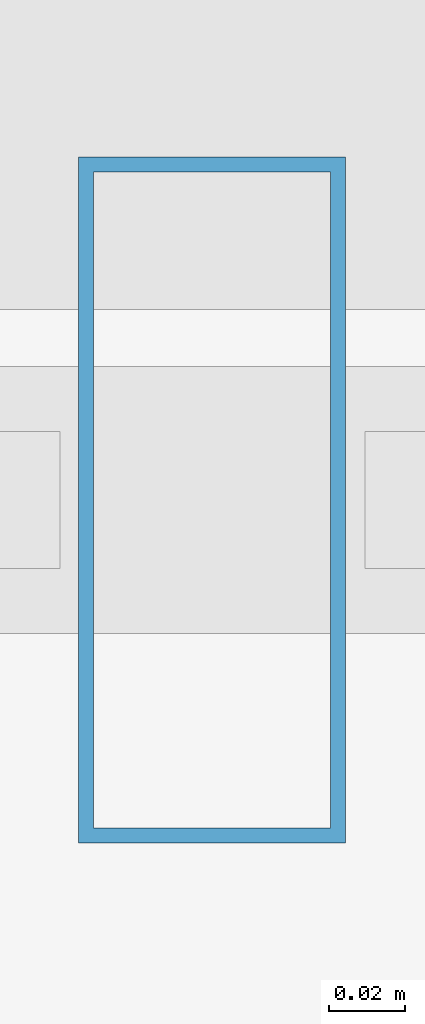
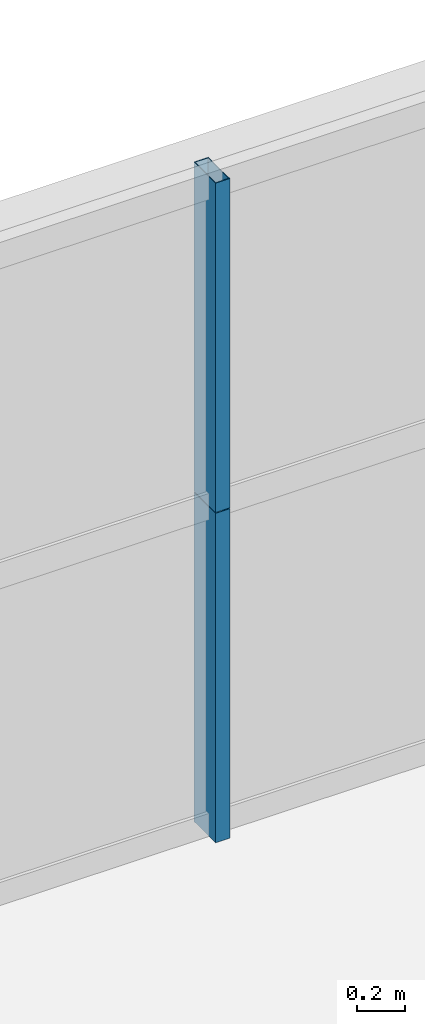
# One storey, part 27 of 43: 2 members, 1 element without a shape of its own.
"""IFC4 building model written with IfcOpenShell, lengths in metres."""

from ifc_helpers import new_model, si_unit, direction, frame, origin, origin_2d, place, context, subcontext, project, spatial, hollow_rectangle, extrude, source, transform, mapped, material, layer, layer_set, material_profile, profile_set, type_object, element, aggregate, save


model = new_model("IFC4")

# Units and contexts
model_context = context("Model", 3, precision=1e-05, world=origin(), true_north=direction((0.0, 1.0)))
body_context = subcontext(model_context, "Body", "Model", "MODEL_VIEW")
ifc_project = project(units=[si_unit("LENGTHUNIT", "METRE"), si_unit("AREAUNIT", "SQUARE_METRE"), si_unit("VOLUMEUNIT", "CUBIC_METRE"), si_unit("PLANEANGLEUNIT", "RADIAN"), si_unit("MASSUNIT", "GRAM", prefix="KILO"), si_unit("THERMODYNAMICTEMPERATUREUNIT", "KELVIN"), si_unit("POWERUNIT", "WATT")], contexts=[model_context])

# Site, building, storey
site_placement = place(None, origin())
site = spatial("IfcSite", under=ifc_project, at=site_placement, CompositionType="ELEMENT")
building_placement = place(site_placement, origin())
building = spatial("IfcBuilding", under=site, at=building_placement, Name="Yuzanri Waterfront Tower", CompositionType="ELEMENT")
storey_placement = place(building_placement, frame((0.0, 0.0, 71.199951171875)))
storey = spatial("IfcBuildingStorey", under=building, at=storey_placement, Name="L18", CompositionType="ELEMENT", Elevation=71.199951171875)

# Curtain wall, members
ifc_material_1 = material(Name="Anodized Architectural Bronze", Category="metal")
ifc_layer = layer(ifc_material_1, 0.159912109375)
ifc_layer_set = layer_set([ifc_layer], Name="Anodized Architectural Bronze")
curtain_wall_type = type_object("IfcCurtainWallType", Name="Anodized Bronze Hotel Lower-Tier Recessed Unitized Curtain Wall 8100", PredefinedType="NOTDEFINED", material=ifc_layer_set)
curtain_wall_placement = place(storey_placement, origin())
curtain_wall = element("IfcCurtainWall", 1, at=curtain_wall_placement, inside=storey, type_object=curtain_wall_type, Name="L18 Curtain Wall CW-L18-NL", PredefinedType="NOTDEFINED")
ifc_material_2 = material(Name="Anodized Architectural Bronze", Category="metal")
ifc_material_profile = material_profile(ifc_material_2, hollow_rectangle(XDim=0.070068359375, YDim=0.179931640625, WallThickness=0.00390625, at=origin_2d()), Name="CWM 70x180")
ifc_profile_set = profile_set([ifc_material_profile], Name="Anodized Architectural Bronze")
member_type = type_object("IfcMemberType", Name="Anodized Bronze Standard Curtain-Wall Mullion 70x180", PredefinedType="MULLION", material=ifc_profile_set)
shared_shape = source(origin(), body_context, "Body", "SweptSolid", [
    extrude(hollow_rectangle(XDim=0.070068359375, YDim=0.179931640625, WallThickness=0.00390625, at=origin_2d()), origin(), (0.0, 0.0, 1.0), 1.68798828125),
])
member_1_placement = place(storey_placement, frame((27.89990234375, 50.75, 0.0), z_axis=(0.0, 0.0, 1.0), x_axis=(1.0, 0.0, 0.0)))
member_1 = element("IfcMember", 2, at=member_1_placement, type_object=member_type, Name="CW-L18-NL Lower Mullion 01", PredefinedType="MULLION", context=body_context, shape_type="MappedRepresentation", body=[
    mapped(shared_shape, transform((0.0, 0.0, 0.0), scale=1.0)),
])
member_2_placement = place(storey_placement, frame((27.89990234375, 50.75, 1.692138671875), z_axis=(0.0, 0.0, 1.0), x_axis=(1.0, 0.0, 0.0)))
member_2 = element("IfcMember", 3, at=member_2_placement, type_object=member_type, Name="CW-L18-NL Upper Mullion 01", PredefinedType="MULLION", context=body_context, shape_type="MappedRepresentation", body=[
    mapped(shared_shape, transform((0.0, 0.0, 0.0), scale=1.0)),
])
aggregate(curtain_wall, [member_1, member_2])

save(model, "model.ifc")
